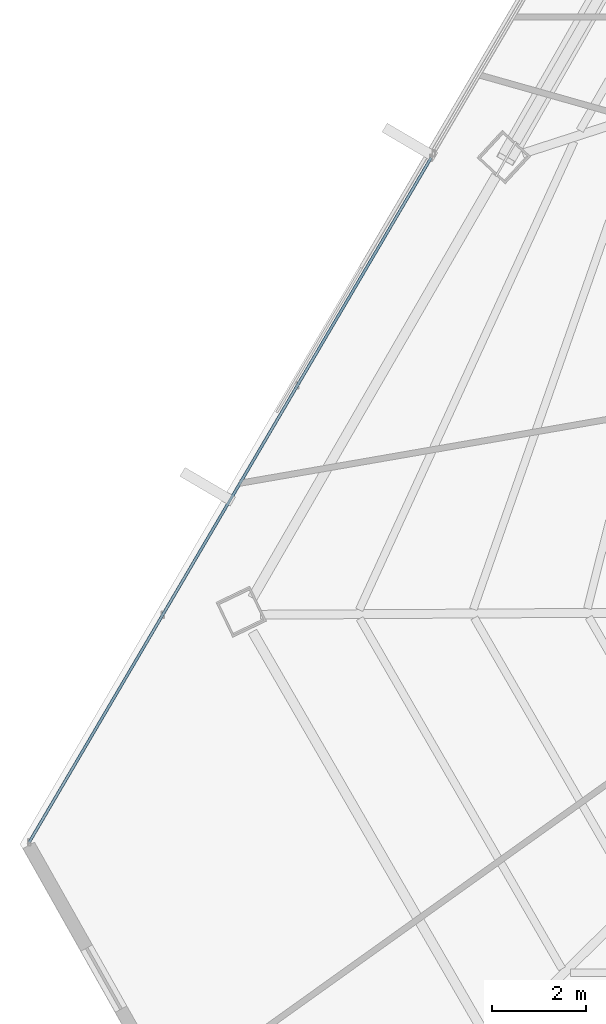
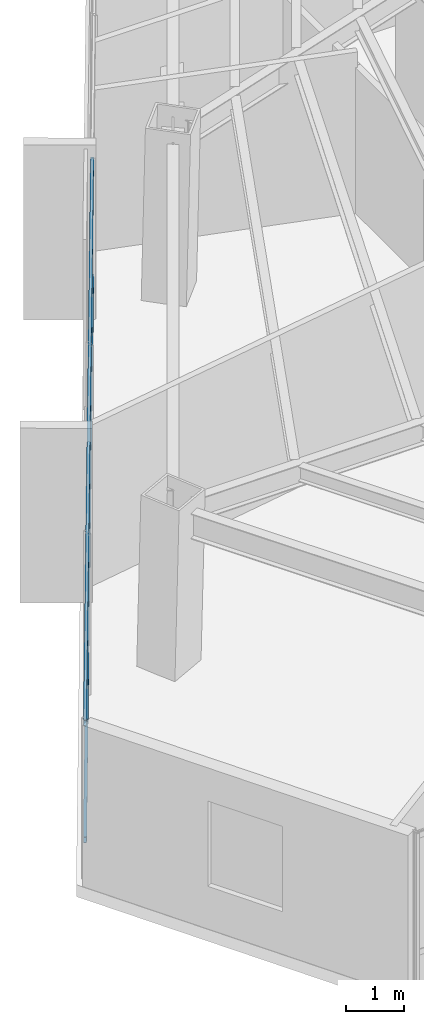
# One storey, part 9 of 42: 2 members, 1 element without a shape of its own.
"""IFC4 building model written with IfcOpenShell, lengths in metres."""

from ifc_helpers import new_model, si_unit, direction, frame, origin, origin_2d, place, context, subcontext, project, spatial, hollow_rectangle, extrude, source, transform, mapped, material, material_profile, profile_set, type_object, type_shapes, element, aggregate, save


model = new_model("IFC4")

# Units and contexts
model_context = context("Model", 3, precision=1e-05, world=origin(), true_north=direction((0.0, 1.0)))
body_context = subcontext(model_context, "Body", "Model", "MODEL_VIEW")
ifc_project = project(units=[si_unit("LENGTHUNIT", "METRE"), si_unit("AREAUNIT", "SQUARE_METRE"), si_unit("VOLUMEUNIT", "CUBIC_METRE"), si_unit("PLANEANGLEUNIT", "RADIAN"), si_unit("MASSUNIT", "GRAM", prefix="KILO")], contexts=[model_context])

# Site, building, storey
site_placement = place(None, origin())
site = spatial("IfcSite", under=ifc_project, at=site_placement, CompositionType="ELEMENT")
building_placement = place(site_placement, origin())
building = spatial("IfcBuilding", under=site, at=building_placement, Name="Caelisora Broadcast Tower", CompositionType="ELEMENT")
storey_placement = place(building_placement, frame((0.0, 0.0, 191.35009765625)))
storey = spatial("IfcBuildingStorey", under=building, at=storey_placement, Name="L50", CompositionType="ELEMENT", Elevation=191.35009765625)

# Curtain wall, members
ifc_material_1 = material(Name="Unitised Aluminium and Low-E Glass Curtain Wall", Category="glass")
curtain_wall_type = type_object("IfcCurtainWallType", Name="CW-Z4", PredefinedType="NOTDEFINED", material=ifc_material_1)
curtain_wall_placement = place(storey_placement, origin())
curtain_wall = element("IfcCurtainWall", 1, at=curtain_wall_placement, inside=storey, type_object=curtain_wall_type, Name="L50 curtain wall CW-Z4", PredefinedType="NOTDEFINED")
ifc_material_2 = material(Name="Aluminium 6063-T6 Anodised Terracotta Bronze", Category="aluminium")
ifc_material_profile = material_profile(ifc_material_2, hollow_rectangle(XDim=0.06005859375, YDim=0.1201171875, WallThickness=0.0029296875, at=origin_2d()), Name="Aluminium 6063-T6 Anodised Terracotta Bronze")
ifc_profile_set = profile_set([ifc_material_profile], Name="Aluminium 6063-T6 Anodised Terracotta Bronze")
member_type = type_object("IfcMemberType", Name="CWT-03", PredefinedType="USERDEFINED", material=ifc_profile_set)
shared_shape = source(origin(), body_context, "Body", "SweptSolid", [
    extrude(hollow_rectangle(XDim=0.06005859375, YDim=0.1201171875, WallThickness=0.0029296875, at=origin_2d()), origin(), (0.0, 0.0, 1.0), 16.97216796875),
])
type_shapes(member_type, [shared_shape])
member_1_placement = place(storey_placement, frame((11.2353515625, 12.4560546875, 0.849853515625), z_axis=(0.506330344712, 0.862339597852, 0.0), x_axis=(-0.862339597852, 0.506330344712, 0.0)))
member_1 = element("IfcMember", 2, at=member_1_placement, type_object=member_type, Name="L50-CW-B09 transom #1", ObjectType="TRANSOM", PredefinedType="USERDEFINED", context=body_context, shape_type="MappedRepresentation", body=[
    mapped(shared_shape, transform((0.0, 0.0, 0.0), scale=1.0)),
])
member_2_placement = place(storey_placement, frame((11.2353515625, 12.4560546875, 3.31982421875), z_axis=(0.506330344712, 0.862339597852, 0.0), x_axis=(-0.862339597852, 0.506330344712, 0.0)))
member_2 = element("IfcMember", 3, at=member_2_placement, type_object=member_type, Name="L50-CW-B09 transom #2", ObjectType="TRANSOM", PredefinedType="USERDEFINED", context=body_context, shape_type="MappedRepresentation", body=[
    mapped(shared_shape, transform((0.0, 0.0, 0.0), scale=1.0)),
])
aggregate(curtain_wall, [member_1, member_2])

save(model, "model.ifc")
